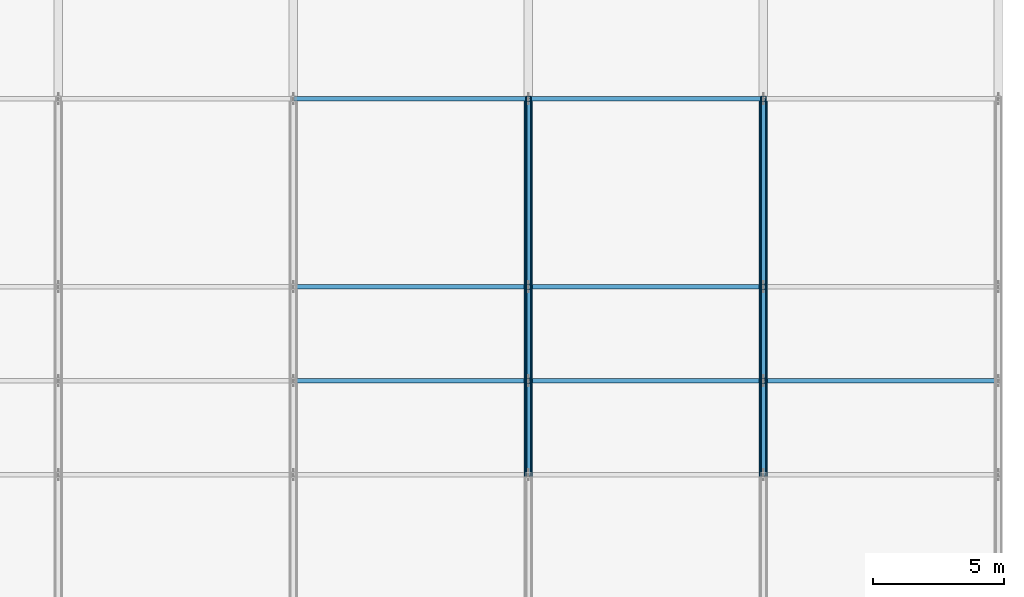
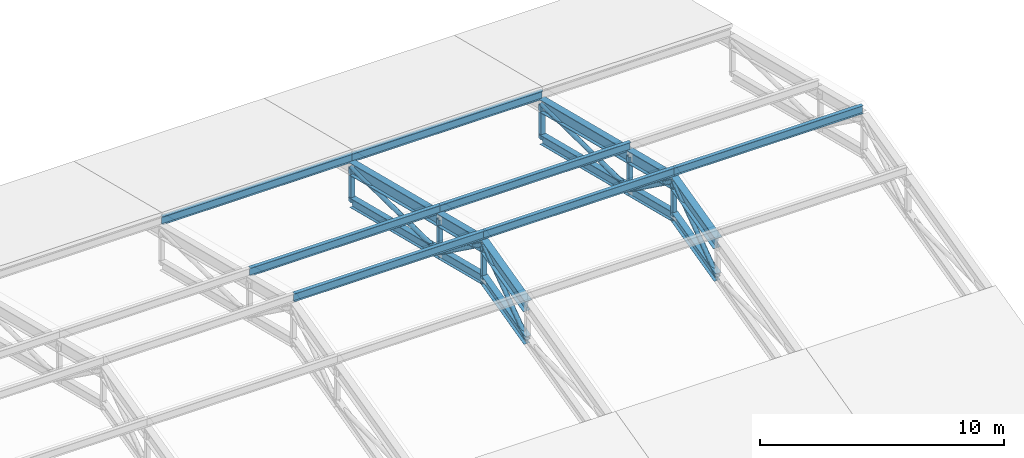
# One storey, part 47 of 124: 31 members.
"""IFC4 building model written with IfcOpenShell, lengths in metres."""

from ifc_helpers import new_model, si_unit, direction, frame, origin, origin_2d, place, context, subcontext, project, spatial, hollow_rectangle, hollow_circle, i_section, extrude, material, material_profile, profile_set, type_object, element, save


model = new_model("IFC4")

# Units and contexts
model_context = context("Model", 3, precision=1e-05, world=origin(), true_north=direction((0.0, 1.0)))
body_context = subcontext(model_context, "Body", "Model", "MODEL_VIEW")
ifc_project = project(units=[si_unit("LENGTHUNIT", "METRE"), si_unit("AREAUNIT", "SQUARE_METRE"), si_unit("VOLUMEUNIT", "CUBIC_METRE"), si_unit("PLANEANGLEUNIT", "RADIAN"), si_unit("MASSUNIT", "GRAM", prefix="KILO")], contexts=[model_context])

# Site, building, storey
site_placement = place(None, origin())
site = spatial("IfcSite", under=ifc_project, at=site_placement, CompositionType="ELEMENT")
building_placement = place(site_placement, origin())
building = spatial("IfcBuilding", under=site, at=building_placement, Name="Celestram Park Convention Centre", CompositionType="ELEMENT")
storey_placement = place(building_placement, frame((0.0, 0.0, 15.300048828125)))
storey = spatial("IfcBuildingStorey", under=building, at=storey_placement, Name="L03", CompositionType="ELEMENT", Elevation=15.300048828125)

# Members
ifc_material_1 = material(Name="Steel ASTM A500 Grade C", Category="steel")
ifc_material_profile_1 = material_profile(ifc_material_1, hollow_circle(Radius=0.109619140625, WallThickness=0.008056640625, at=origin_2d()), Name="CHS219X8")
ifc_profile_set_1 = profile_set([ifc_material_profile_1], Name="Steel ASTM A500 Grade C")
member_type_1 = type_object("IfcMemberType", Name="STR-BRC-CHS219", PredefinedType="BRACE", material=ifc_profile_set_1)
for number, where, z_axis, x_axis, name in (
    (1, (198.0, 14.39990234375, 1.008056640625), (0.0, 0.810702423259, 0.585458436545), (-1.0, 0.0, 0.0), "V3 arch web diagonal"),
    (2, (198.0, 18.0, 3.60791015625), (0.0, 0.810702423259, -0.585458436545), (-1.0, 0.0, 0.0), "V3 arch web diagonal"),
):
    element("IfcMember", number, at=place(storey_placement, frame(where, z_axis=z_axis, x_axis=x_axis)), inside=storey, type_object=member_type_1, Name=name, PredefinedType="BRACE", context=body_context, shape_type="SweptSolid", body=[
        extrude(hollow_circle(Radius=0.109619140625, WallThickness=0.008056640625, at=origin_2d()), origin(), (0.0, 0.0, 1.0), 4.440673828125),
    ])
member_1_placement = place(storey_placement, frame((198.0, 21.60009765625, 1.008056640625), z_axis=(0.0, 0.999903373607, -0.013901203187), x_axis=(-1.0, 0.0, 0.0)))
element("IfcMember", 3, at=member_1_placement, inside=storey, type_object=member_type_1, Name="V3 arch web diagonal", PredefinedType="BRACE", context=body_context, shape_type="SweptSolid", body=[
    extrude(hollow_circle(Radius=0.109619140625, WallThickness=0.008056640625, at=origin_2d()), origin(), (0.0, 0.0, 1.0), 7.20068359375),
])
for number, where, z_axis, x_axis, name in (
    (4, (207.0, 14.39990234375, 1.008056640625), (0.0, 0.810702423259, 0.585458436545), (-1.0, 0.0, 0.0), "V3 arch web diagonal"),
    (5, (207.0, 18.0, 3.60791015625), (0.0, 0.810702423259, -0.585458436545), (-1.0, 0.0, 0.0), "V3 arch web diagonal"),
):
    element("IfcMember", number, at=place(storey_placement, frame(where, z_axis=z_axis, x_axis=x_axis)), inside=storey, type_object=member_type_1, Name=name, PredefinedType="BRACE", context=body_context, shape_type="SweptSolid", body=[
        extrude(hollow_circle(Radius=0.109619140625, WallThickness=0.008056640625, at=origin_2d()), origin(), (0.0, 0.0, 1.0), 4.440673828125),
    ])
member_2_placement = place(storey_placement, frame((207.0, 21.60009765625, 1.008056640625), z_axis=(0.0, 0.999903373607, -0.013901203187), x_axis=(-1.0, 0.0, 0.0)))
element("IfcMember", 6, at=member_2_placement, inside=storey, type_object=member_type_1, Name="V3 arch web diagonal", PredefinedType="BRACE", context=body_context, shape_type="SweptSolid", body=[
    extrude(hollow_circle(Radius=0.109619140625, WallThickness=0.008056640625, at=origin_2d()), origin(), (0.0, 0.0, 1.0), 7.20068359375),
])
ifc_material_2 = material(Name="Steel ASTM A992 Grade 50", Category="steel")
ifc_material_profile_2 = material_profile(ifc_material_2, i_section(OverallWidth=0.281982421875, OverallDepth=0.467041015625, WebThickness=0.01220703125, FlangeThickness=0.01953125, at=origin_2d()), Name="W18X86")
ifc_profile_set_2 = profile_set([ifc_material_profile_2], Name="Steel ASTM A992 Grade 50")
member_type_2 = type_object("IfcMemberType", Name="STR-CHD-W18X86", PredefinedType="CHORD", material=ifc_profile_set_2)
for number, where, z_axis, x_axis, name in (
    (7, (198.0, 14.39990234375, 1.008056640625), (0.0, 0.970150239738, 0.242504664565), (-1.0, 0.0, 0.0), "V3 arch bottom chord"),
    (8, (198.0, 18.0, 1.907958984375), (0.0, 0.970150239738, -0.242504664565), (-1.0, 0.0, 0.0), "V3 arch bottom chord"),
):
    element("IfcMember", number, at=place(storey_placement, frame(where, z_axis=z_axis, x_axis=x_axis)), inside=storey, type_object=member_type_2, Name=name, PredefinedType="CHORD", context=body_context, shape_type="SweptSolid", body=[
        extrude(i_section(OverallWidth=0.281982421875, OverallDepth=0.467041015625, WebThickness=0.01220703125, FlangeThickness=0.01953125, at=origin_2d()), origin(), (0.0, 0.0, 1.0), 3.7109375),
    ])
member_3_placement = place(storey_placement, frame((198.0, 21.60009765625, 1.008056640625), z_axis=(0.0, 0.970140565046, -0.242543365301), x_axis=(-1.0, 0.0, 0.0)))
element("IfcMember", 9, at=member_3_placement, inside=storey, type_object=member_type_2, Name="V3 arch bottom chord", PredefinedType="CHORD", context=body_context, shape_type="SweptSolid", body=[
    extrude(i_section(OverallWidth=0.281982421875, OverallDepth=0.467041015625, WebThickness=0.01220703125, FlangeThickness=0.01953125, at=origin_2d()), origin(), (0.0, 0.0, 1.0), 7.421630859375),
])
for number, where, z_axis, x_axis, name in (
    (10, (207.0, 14.39990234375, 1.008056640625), (0.0, 0.970150239738, 0.242504664565), (-1.0, 0.0, 0.0), "V3 arch bottom chord"),
    (11, (207.0, 18.0, 1.907958984375), (0.0, 0.970150239738, -0.242504664565), (-1.0, 0.0, 0.0), "V3 arch bottom chord"),
):
    element("IfcMember", number, at=place(storey_placement, frame(where, z_axis=z_axis, x_axis=x_axis)), inside=storey, type_object=member_type_2, Name=name, PredefinedType="CHORD", context=body_context, shape_type="SweptSolid", body=[
        extrude(i_section(OverallWidth=0.281982421875, OverallDepth=0.467041015625, WebThickness=0.01220703125, FlangeThickness=0.01953125, at=origin_2d()), origin(), (0.0, 0.0, 1.0), 3.7109375),
    ])
member_4_placement = place(storey_placement, frame((207.0, 21.60009765625, 1.008056640625), z_axis=(0.0, 0.970140565046, -0.242543365301), x_axis=(-1.0, 0.0, 0.0)))
element("IfcMember", 12, at=member_4_placement, inside=storey, type_object=member_type_2, Name="V3 arch bottom chord", PredefinedType="CHORD", context=body_context, shape_type="SweptSolid", body=[
    extrude(i_section(OverallWidth=0.281982421875, OverallDepth=0.467041015625, WebThickness=0.01220703125, FlangeThickness=0.01953125, at=origin_2d()), origin(), (0.0, 0.0, 1.0), 7.421630859375),
])
ifc_material_profile_3 = material_profile(ifc_material_2, i_section(OverallWidth=0.327880859375, OverallDepth=0.6220703125, WebThickness=0.015380859375, FlangeThickness=0.0244140625, at=origin_2d()), Name="W24X131")
ifc_profile_set_3 = profile_set([ifc_material_profile_3], Name="Steel ASTM A992 Grade 50")
member_type_3 = type_object("IfcMemberType", Name="STR-CHD-W24X131", PredefinedType="CHORD", material=ifc_profile_set_3)
for number, where, z_axis, x_axis, name in (
    (13, (198.0, 14.39990234375, 2.7080078125), (0.0, 0.970150239738, 0.242504664565), (-1.0, 0.0, 0.0), "V3 arch top chord"),
    (14, (198.0, 18.0, 3.60791015625), (0.0, 0.970150239738, -0.242504664565), (-1.0, 0.0, 0.0), "V3 arch top chord"),
):
    element("IfcMember", number, at=place(storey_placement, frame(where, z_axis=z_axis, x_axis=x_axis)), inside=storey, type_object=member_type_3, Name=name, PredefinedType="CHORD", context=body_context, shape_type="SweptSolid", body=[
        extrude(i_section(OverallWidth=0.327880859375, OverallDepth=0.6220703125, WebThickness=0.015380859375, FlangeThickness=0.0244140625, at=origin_2d()), origin(), (0.0, 0.0, 1.0), 3.7109375),
    ])
member_5_placement = place(storey_placement, frame((198.0, 21.60009765625, 2.7080078125), z_axis=(0.0, 0.970140565046, -0.242543365301), x_axis=(-1.0, 0.0, 0.0)))
element("IfcMember", 15, at=member_5_placement, inside=storey, type_object=member_type_3, Name="V3 arch top chord", PredefinedType="CHORD", context=body_context, shape_type="SweptSolid", body=[
    extrude(i_section(OverallWidth=0.327880859375, OverallDepth=0.6220703125, WebThickness=0.015380859375, FlangeThickness=0.0244140625, at=origin_2d()), origin(), (0.0, 0.0, 1.0), 7.421630859375),
])
for number, where, z_axis, x_axis, name in (
    (16, (207.0, 14.39990234375, 2.7080078125), (0.0, 0.970150239738, 0.242504664565), (-1.0, 0.0, 0.0), "V3 arch top chord"),
    (17, (207.0, 18.0, 3.60791015625), (0.0, 0.970150239738, -0.242504664565), (-1.0, 0.0, 0.0), "V3 arch top chord"),
):
    element("IfcMember", number, at=place(storey_placement, frame(where, z_axis=z_axis, x_axis=x_axis)), inside=storey, type_object=member_type_3, Name=name, PredefinedType="CHORD", context=body_context, shape_type="SweptSolid", body=[
        extrude(i_section(OverallWidth=0.327880859375, OverallDepth=0.6220703125, WebThickness=0.015380859375, FlangeThickness=0.0244140625, at=origin_2d()), origin(), (0.0, 0.0, 1.0), 3.7109375),
    ])
member_6_placement = place(storey_placement, frame((207.0, 21.60009765625, 2.7080078125), z_axis=(0.0, 0.970140565046, -0.242543365301), x_axis=(-1.0, 0.0, 0.0)))
element("IfcMember", 18, at=member_6_placement, inside=storey, type_object=member_type_3, Name="V3 arch top chord", PredefinedType="CHORD", context=body_context, shape_type="SweptSolid", body=[
    extrude(i_section(OverallWidth=0.327880859375, OverallDepth=0.6220703125, WebThickness=0.015380859375, FlangeThickness=0.0244140625, at=origin_2d()), origin(), (0.0, 0.0, 1.0), 7.421630859375),
])
ifc_material_profile_4 = material_profile(ifc_material_2, i_section(OverallWidth=0.177978515625, OverallDepth=0.406005859375, WebThickness=0.0078125, FlangeThickness=0.0126953125, at=origin_2d()), Name="W16X40")
ifc_profile_set_4 = profile_set([ifc_material_profile_4], Name="Steel ASTM A992 Grade 50")
member_type_4 = type_object("IfcMemberType", Name="STR-RFT-W16X40", PredefinedType="RAFTER", material=ifc_profile_set_4)
for number, where, z_axis, x_axis, name in (
    (19, (189.0, 18.0, 4.1220703125), (1.0, 0.0, 0.0), (0.0, 1.0, 0.0), "V3 roof purlin"),
    (20, (189.0, 21.60009765625, 3.221923828125), (1.0, 0.0, 0.0), (0.0, 1.0, 0.0), "V3 roof purlin"),
    (21, (189.0, 28.800048828125, 1.421875), (1.0, 0.0, 0.0), (0.0, 1.0, 0.0), "V3 roof purlin"),
    (22, (198.0, 18.0, 4.1220703125), (1.0, 0.0, 0.0), (0.0, 1.0, 0.0), "V3 roof purlin"),
    (23, (198.0, 21.60009765625, 3.221923828125), (1.0, 0.0, 0.0), (0.0, 1.0, 0.0), "V3 roof purlin"),
    (24, (198.0, 28.800048828125, 1.421875), (1.0, 0.0, 0.0), (0.0, 1.0, 0.0), "V3 roof purlin"),
):
    element("IfcMember", number, at=place(storey_placement, frame(where, z_axis=z_axis, x_axis=x_axis)), inside=storey, type_object=member_type_4, Name=name, PredefinedType="RAFTER", context=body_context, shape_type="SweptSolid", body=[
        extrude(i_section(OverallWidth=0.177978515625, OverallDepth=0.406005859375, WebThickness=0.0078125, FlangeThickness=0.0126953125, at=origin_2d()), origin(), (0.0, 0.0, 1.0), 9.0),
    ])
member_7_placement = place(storey_placement, frame((207.0, 18.0, 4.1220703125), z_axis=(1.0, 0.0, 0.0), x_axis=(0.0, 1.0, 0.0)))
element("IfcMember", 25, at=member_7_placement, inside=storey, type_object=member_type_4, Name="V3 roof purlin", PredefinedType="RAFTER", context=body_context, shape_type="SweptSolid", body=[
    extrude(i_section(OverallWidth=0.177978515625, OverallDepth=0.406005859375, WebThickness=0.0078125, FlangeThickness=0.0126953125, at=origin_2d()), origin(), (0.0, 0.0, 1.0), 8.919921875),
])
ifc_material_profile_5 = material_profile(ifc_material_1, hollow_rectangle(XDim=0.199951171875, YDim=0.199951171875, WallThickness=0.010009765625, at=origin_2d()), Name="HSS200X200X10")
ifc_profile_set_5 = profile_set([ifc_material_profile_5], Name="Steel ASTM A500 Grade C")
member_type_5 = type_object("IfcMemberType", Name="STR-STR-HSS200", PredefinedType="STRUT", material=ifc_profile_set_5)
for number, where, z_axis, x_axis, name in (
    (26, (198.0, 18.0, 1.907958984375), (0.0, 0.0, 1.0), (1.0, 0.0, 0.0), "V3 arch vertical strut"),
    (27, (198.0, 21.60009765625, 1.008056640625), (0.0, 0.0, 1.0), (1.0, 0.0, 0.0), "V3 arch vertical strut"),
    (28, (198.0, 28.800048828125, -0.7919921875), (0.0, 0.0, 1.0), (1.0, 0.0, 0.0), "V3 arch vertical strut"),
    (29, (207.0, 18.0, 1.907958984375), (0.0, 0.0, 1.0), (1.0, 0.0, 0.0), "V3 arch vertical strut"),
    (30, (207.0, 21.60009765625, 1.008056640625), (0.0, 0.0, 1.0), (1.0, 0.0, 0.0), "V3 arch vertical strut"),
    (31, (207.0, 28.800048828125, -0.7919921875), (0.0, 0.0, 1.0), (1.0, 0.0, 0.0), "V3 arch vertical strut"),
):
    element("IfcMember", number, at=place(storey_placement, frame(where, z_axis=z_axis, x_axis=x_axis)), inside=storey, type_object=member_type_5, Name=name, PredefinedType="STRUT", context=body_context, shape_type="SweptSolid", body=[
        extrude(hollow_rectangle(XDim=0.199951171875, YDim=0.199951171875, WallThickness=0.010009765625, at=origin_2d()), origin(), (0.0, 0.0, 1.0), 1.699951171875),
    ])

save(model, "model.ifc")
